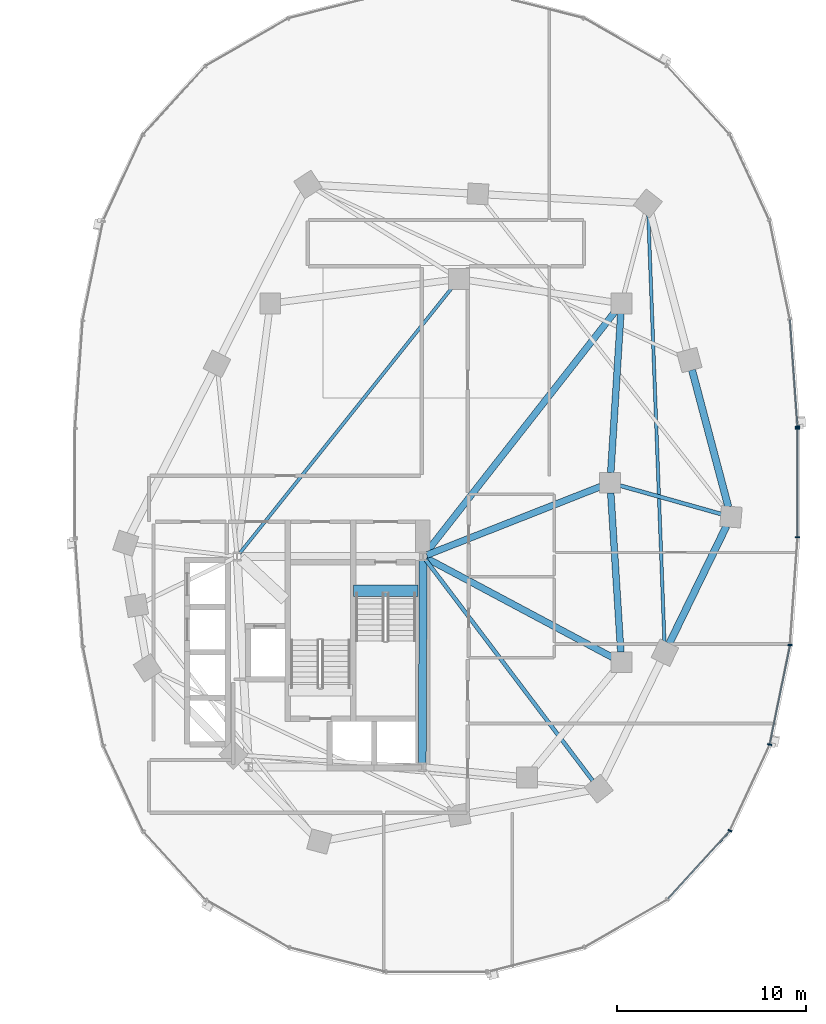
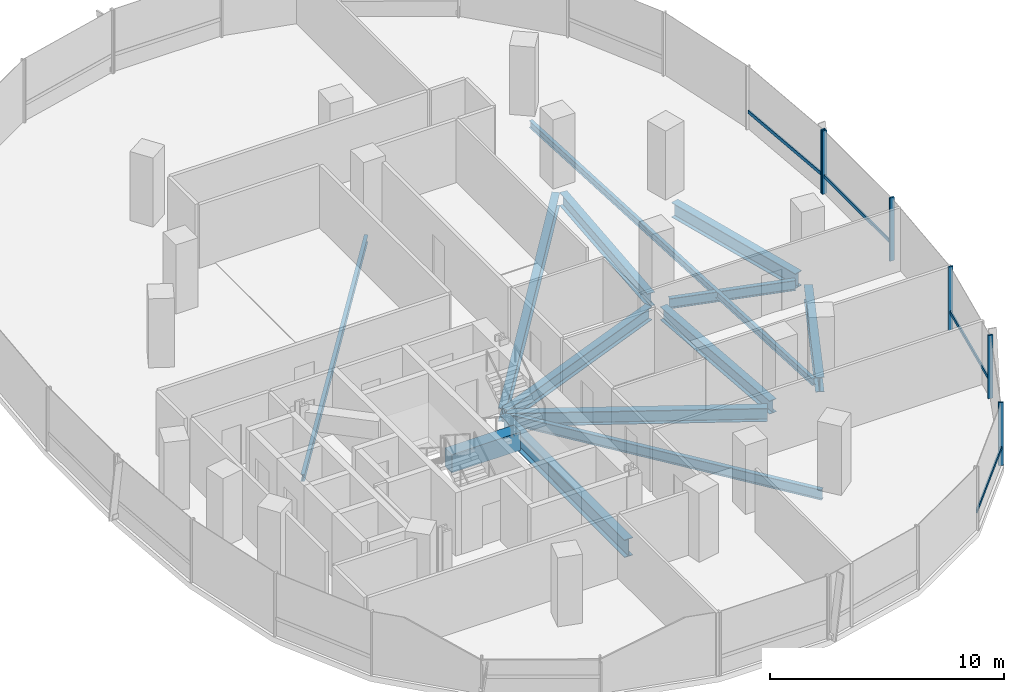
# One storey, part 6 of 21: 13 beams, 10 members, 2 elements without a shape of their own.
"""IFC4 building model written with IfcOpenShell, lengths in metres."""

from ifc_helpers import new_model, si_unit, direction, frame, origin, origin_2d, place, context, subcontext, project, spatial, rectangle, i_section, extrude, material, material_profile, profile_set, type_object, element, aggregate, save


model = new_model("IFC4")

# Units and contexts
model_context = context("Model", 3, precision=1e-05, world=origin(), true_north=direction((0.0, 1.0)))
body_context = subcontext(model_context, "Body", "Model", "MODEL_VIEW")
ifc_project = project(units=[si_unit("LENGTHUNIT", "METRE"), si_unit("AREAUNIT", "SQUARE_METRE"), si_unit("VOLUMEUNIT", "CUBIC_METRE"), si_unit("PLANEANGLEUNIT", "RADIAN"), si_unit("MASSUNIT", "GRAM", prefix="KILO"), si_unit("THERMODYNAMICTEMPERATUREUNIT", "KELVIN"), si_unit("POWERUNIT", "WATT")], contexts=[model_context])

# Site, building, storey
site_placement = place(None, origin())
site = spatial("IfcSite", under=ifc_project, at=site_placement, CompositionType="ELEMENT")
building_placement = place(site_placement, origin())
building = spatial("IfcBuilding", under=site, at=building_placement, Name="Cundina Bronze Exchange", CompositionType="ELEMENT")
storey_placement = place(building_placement, frame((0.0, 0.0, 81.800048828125)))
storey = spatial("IfcBuildingStorey", under=building, at=storey_placement, Name="L20", CompositionType="ELEMENT", Elevation=81.800048828125)

# Beams
ifc_material_1 = material(Name="Concrete C60/75", Category="concrete")
ifc_material_profile_1 = material_profile(ifc_material_1, rectangle(XDim=0.60009765625, YDim=0.949951171875, at=origin_2d()), Name="RC600X950", Category="concrete")
ifc_profile_set_1 = profile_set([ifc_material_profile_1], Name="Concrete C60/75")
beam_type_1 = type_object("IfcBeamType", Name="BM-COUP-RC950", PredefinedType="LINTEL", material=ifc_profile_set_1)
beam_1_placement = place(storey_placement, frame((27.6201171875, -5.719970703125, -0.47509765625), z_axis=(1.0, 0.0, 0.0), x_axis=(0.0, 1.0, 0.0)))
element("IfcBeam", 1, at=beam_1_placement, inside=storey, type_object=beam_type_1, Name="L20 Stair E1 Landing Header Beam", PredefinedType="LINTEL", context=body_context, shape_type="SweptSolid", body=[
    extrude(rectangle(XDim=0.60009765625, YDim=0.949951171875, at=origin_2d()), origin(), (0.0, 0.0, 1.0), 3.39990234375),
])
ifc_material_2 = material(Name="Steel ASTM A992 Grade 50", Category="steel")
ifc_material_profile_2 = material_profile(ifc_material_2, i_section(OverallWidth=0.2099609375, OverallDepth=0.532958984375, WebThickness=0.01025390625, FlangeThickness=0.015625, FilletRadius=0.013916015625, at=origin_2d()), Name="W21X62", Category="steel")
ifc_profile_set_2 = profile_set([ifc_material_profile_2], Name="Steel ASTM A992 Grade 50")
beam_type_2 = type_object("IfcBeamType", Name="BM-FLR-W21B", PredefinedType="BEAM", material=ifc_profile_set_2)
beam_2_placement = place(storey_placement, frame((31.423095703125, -4.062744140625, -0.566650390625), z_axis=(0.603095885041, -0.797668699052, 0.0), x_axis=(0.797668699052, 0.603095885041, 0.0)))
element("IfcBeam", 2, at=beam_2_placement, inside=storey, type_object=beam_type_2, Name="L20 Leg E Chordal Floor Beam 06", PredefinedType="BEAM", context=body_context, shape_type="SweptSolid", body=[
    extrude(i_section(OverallWidth=0.2099609375, OverallDepth=0.532958984375, WebThickness=0.01025390625, FlangeThickness=0.015625, FilletRadius=0.013916015625, at=origin_2d()), origin(), (0.0, 0.0, 1.0), 14.677978515625),
])
beam_3_placement = place(storey_placement, frame((41.718017578125, -0.145751953125, -0.566650390625), z_axis=(0.962654865541, -0.270731619598, 0.0), x_axis=(0.270731619598, 0.962654865541, 0.0)))
element("IfcBeam", 3, at=beam_3_placement, inside=storey, type_object=beam_type_2, Name="L20 Leg E Chordal Floor Beam 08", PredefinedType="BEAM", context=body_context, shape_type="SweptSolid", body=[
    extrude(i_section(OverallWidth=0.2099609375, OverallDepth=0.532958984375, WebThickness=0.01025390625, FlangeThickness=0.015625, FilletRadius=0.013916015625, at=origin_2d()), origin(), (0.0, 0.0, 1.0), 5.572021484375),
])
ifc_material_profile_3 = material_profile(ifc_material_2, i_section(OverallWidth=0.172119140625, OverallDepth=0.35791015625, WebThickness=0.0078125, FlangeThickness=0.01318359375, FilletRadius=0.010009765625, at=origin_2d()), Name="W14X38", Category="steel")
ifc_profile_set_3 = profile_set([ifc_material_profile_3], Name="Steel ASTM A992 Grade 50")
beam_type_3 = type_object("IfcBeamType", Name="BM-JST-W14", PredefinedType="JOIST", material=ifc_profile_set_3)
beam_4_placement = place(storey_placement, frame((21.577392578125, -3.740478515625, -0.47900390625), z_axis=(0.62436887964, 0.781129632095, 0.0), x_axis=(-0.781129632095, 0.62436887964, 0.0)))
element("IfcBeam", 4, at=beam_4_placement, inside=storey, type_object=beam_type_3, Name="L20 E Interior Core-to-Ring Joist 2", PredefinedType="JOIST", context=body_context, shape_type="SweptSolid", body=[
    extrude(i_section(OverallWidth=0.172119140625, OverallDepth=0.35791015625, WebThickness=0.0078125, FlangeThickness=0.01318359375, FilletRadius=0.010009765625, at=origin_2d()), origin(), (0.0, 0.0, 1.0), 18.076904296875),
])
beam_5_placement = place(storey_placement, frame((44.07958984375, -8.46240234375, -0.47900390625), z_axis=(-0.03778951385, 0.999285721224, 0.0), x_axis=(-0.999285721224, -0.03778951385, 0.0)))
element("IfcBeam", 5, at=beam_5_placement, inside=storey, type_object=beam_type_3, Name="L20 Leg E Lobe Floor Joist 07-10", PredefinedType="JOIST", context=body_context, shape_type="SweptSolid", body=[
    extrude(i_section(OverallWidth=0.172119140625, OverallDepth=0.35791015625, WebThickness=0.0078125, FlangeThickness=0.01318359375, FilletRadius=0.010009765625, at=origin_2d()), origin(), (0.0, 0.0, 1.0), 22.7412109375),
])
ifc_material_profile_4 = material_profile(ifc_material_2, i_section(OverallWidth=0.35498046875, OverallDepth=0.695068359375, WebThickness=0.015380859375, FlangeThickness=0.02490234375, FilletRadius=0.01806640625, at=origin_2d()), Name="W27X146", Category="steel")
ifc_profile_set_4 = profile_set([ifc_material_profile_4], Name="Steel ASTM A992 Grade 50")
beam_type_4 = type_object("IfcBeamType", Name="BM-RING-W27", PredefinedType="USERDEFINED", material=ifc_profile_set_4)
for number, where, z_axis, x_axis, name in (
    (6, (41.76611328125, -8.963134765625, -0.6474609375), (-0.06303715519, 0.998011180832, 0.0), (-0.998011180832, -0.06303715519, 0.0), "L20 E Inner Structural Ring Girder 03"),
    (7, (41.23388671875, 0.536865234375, -0.6474609375), (0.06303715519, 0.998011180832, 0.0), (-0.998011180832, 0.06303715519, 0.0), "L20 E Inner Structural Ring Girder 04"),
):
    element("IfcBeam", number, at=place(storey_placement, frame(where, z_axis=z_axis, x_axis=x_axis)), inside=storey, type_object=beam_type_4, Name=name, ObjectType="GIRDER", PredefinedType="USERDEFINED", context=body_context, shape_type="SweptSolid", body=[
        extrude(i_section(OverallWidth=0.35498046875, OverallDepth=0.695068359375, WebThickness=0.015380859375, FlangeThickness=0.02490234375, FilletRadius=0.01806640625, at=origin_2d()), origin(), (0.0, 0.0, 1.0), 8.443115234375),
    ])
beam_6_placement = place(storey_placement, frame((31.48974609375, -3.8251953125, -0.6474609375), z_axis=(0.930413235418, 0.366512225388, 0.0), x_axis=(-0.366512225388, 0.930413235418, 0.0)))
element("IfcBeam", 8, at=beam_6_placement, inside=storey, type_object=beam_type_4, Name="L20 E Core-to-Waist Tie Beam 1", ObjectType="GIRDER", PredefinedType="USERDEFINED", context=body_context, shape_type="SweptSolid", body=[
    extrude(i_section(OverallWidth=0.35498046875, OverallDepth=0.695068359375, WebThickness=0.015380859375, FlangeThickness=0.02490234375, FilletRadius=0.01806640625, at=origin_2d()), origin(), (0.0, 0.0, 1.0), 9.8984375),
])
beam_7_placement = place(storey_placement, frame((31.47998046875, -3.99609375, -0.6474609375), z_axis=(0.882354758239, -0.470584828286, 0.0), x_axis=(0.470584828286, 0.882354758239, 0.0)))
element("IfcBeam", 9, at=beam_7_placement, inside=storey, type_object=beam_type_4, Name="L20 E Core-to-Waist Tie Beam 2", ObjectType="GIRDER", PredefinedType="USERDEFINED", context=body_context, shape_type="SweptSolid", body=[
    extrude(i_section(OverallWidth=0.35498046875, OverallDepth=0.695068359375, WebThickness=0.015380859375, FlangeThickness=0.02490234375, FilletRadius=0.01806640625, at=origin_2d()), origin(), (0.0, 0.0, 1.0), 11.157958984375),
])
beam_8_placement = place(storey_placement, frame((31.42578125, -3.739501953125, -0.6474609375), z_axis=(0.616789275748, 0.787128318206, 0.0), x_axis=(-0.787128318206, 0.616789275748, 0.0)))
element("IfcBeam", 10, at=beam_8_placement, inside=storey, type_object=beam_type_4, Name="L20 E Core-to-Waist Tie Beam 3", ObjectType="GIRDER", PredefinedType="USERDEFINED", context=body_context, shape_type="SweptSolid", body=[
    extrude(i_section(OverallWidth=0.35498046875, OverallDepth=0.695068359375, WebThickness=0.015380859375, FlangeThickness=0.02490234375, FilletRadius=0.01806640625, at=origin_2d()), origin(), (0.0, 0.0, 1.0), 16.281982421875),
])
ifc_material_profile_5 = material_profile(ifc_material_2, i_section(OverallWidth=0.381103515625, OverallDepth=0.77294921875, WebThickness=0.0166015625, FlangeThickness=0.027099609375, FilletRadius=0.01904296875, at=origin_2d()), Name="W30X173", Category="steel")
ifc_profile_set_5 = profile_set([ifc_material_profile_5], Name="Steel ASTM A992 Grade 50")
beam_type_5 = type_object("IfcBeamType", Name="BM-RING-W30", PredefinedType="USERDEFINED", material=ifc_profile_set_5)
beam_9_placement = place(storey_placement, frame((44.335205078125, -8.51611328125, -0.6865234375), z_axis=(0.437193894283, 0.899367276924, 0.0), x_axis=(-0.899367276924, 0.437193894283, 0.0)))
element("IfcBeam", 11, at=beam_9_placement, inside=storey, type_object=beam_type_5, Name="L20 E Perimeter Ring Girder 07", ObjectType="GIRDER", PredefinedType="USERDEFINED", context=body_context, shape_type="SweptSolid", body=[
    extrude(i_section(OverallWidth=0.381103515625, OverallDepth=0.77294921875, WebThickness=0.0166015625, FlangeThickness=0.027099609375, FilletRadius=0.01904296875, at=origin_2d()), origin(), (0.0, 0.0, 1.0), 6.929443359375),
])
beam_10_placement = place(storey_placement, frame((47.462158203125, -1.280029296875, -0.6865234375), z_axis=(-0.256209719931, 0.966621218168, 0.0), x_axis=(-0.966621218168, -0.256209719931, 0.0)))
element("IfcBeam", 12, at=beam_10_placement, inside=storey, type_object=beam_type_5, Name="L20 E Perimeter Ring Girder 08", ObjectType="GIRDER", PredefinedType="USERDEFINED", context=body_context, shape_type="SweptSolid", body=[
    extrude(i_section(OverallWidth=0.381103515625, OverallDepth=0.77294921875, WebThickness=0.0166015625, FlangeThickness=0.027099609375, FilletRadius=0.01904296875, at=origin_2d()), origin(), (0.0, 0.0, 1.0), 7.5107421875),
])
ifc_material_profile_6 = material_profile(ifc_material_2, i_section(OverallWidth=0.41796875, OverallDepth=0.927001953125, WebThickness=0.019287109375, FlangeThickness=0.031982421875, FilletRadius=0.02392578125, at=origin_2d()), Name="W36X231", Category="steel")
ifc_profile_set_6 = profile_set([ifc_material_profile_6], Name="Steel ASTM A992 Grade 50")
beam_type_6 = type_object("IfcBeamType", Name="BM-WRN-W36B", PredefinedType="USERDEFINED", material=ifc_profile_set_6)
beam_11_placement = place(storey_placement, frame((31.2509765625, -14.845947265625, -0.763427734375), z_axis=(0.004477329608, 0.99998997671, 0.0), x_axis=(-0.99998997671, 0.004477329608, 0.0)))
element("IfcBeam", 13, at=beam_11_placement, inside=storey, type_object=beam_type_6, Name="L20 E Core Perimeter Tie Girder 4", ObjectType="GIRDER", PredefinedType="USERDEFINED", context=body_context, shape_type="SweptSolid", body=[
    extrude(i_section(OverallWidth=0.41796875, OverallDepth=0.927001953125, WebThickness=0.019287109375, FlangeThickness=0.031982421875, FilletRadius=0.02392578125, at=origin_2d()), origin(), (0.0, 0.0, 1.0), 10.741943359375),
])

# Curtain wall, member
ifc_material_3 = material(Name="Anodised Bronze Aluminium 6063-T6", Category="aluminium")
curtain_wall_type = type_object("IfcCurtainWallType", Name="CWS-TRD-MID", PredefinedType="NOTDEFINED", material=ifc_material_3)
curtain_wall_1_placement = place(storey_placement, origin())
curtain_wall_1 = element("IfcCurtainWall", 14, at=curtain_wall_1_placement, inside=storey, type_object=curtain_wall_type, Name="L20 CW-03 Curtain Wall Run CWR-L20-E1", PredefinedType="NOTDEFINED")
ifc_material_profile_7 = material_profile(ifc_material_3, rectangle(XDim=0.074951171875, YDim=0.219970703125, at=origin_2d()), Name="AL75X220", Category="aluminium")
ifc_profile_set_7 = profile_set([ifc_material_profile_7], Name="Anodised Bronze Aluminium 6063-T6")
member_type_1 = type_object("IfcMemberType", Name="CWM-MUL-220", PredefinedType="MULLION", material=ifc_profile_set_7)
member_1_placement = place(storey_placement, frame((51.12451171875, 2.976318359375, 0.0), z_axis=(0.0, 0.0, 1.0), x_axis=(-0.070278787473, 0.997527389113, 0.0)))
member_1 = element("IfcMember", 15, at=member_1_placement, type_object=member_type_1, Name="CW-03 Mullion 1", PredefinedType="MULLION", context=body_context, shape_type="SweptSolid", body=[
    extrude(rectangle(XDim=0.074951171875, YDim=0.219970703125, at=origin_2d()), origin(), (0.0, 0.0, 1.0), 3.300048828125),
])

# Curtain wall, members
curtain_wall_2_placement = place(storey_placement, origin())
curtain_wall_2 = element("IfcCurtainWall", 16, at=curtain_wall_2_placement, inside=storey, type_object=curtain_wall_type, Name="L20 CW-03 Curtain Wall Run CWR-L20-E4", PredefinedType="NOTDEFINED")
member_2_placement = place(storey_placement, frame((47.544189453125, -18.423583984375, 0.0), z_axis=(0.0, 0.0, 1.0), x_axis=(0.42087749791, 0.907117485088, 0.0)))
member_2 = element("IfcMember", 17, at=member_2_placement, type_object=member_type_1, Name="CW-03 Mullion 4", PredefinedType="MULLION", context=body_context, shape_type="SweptSolid", body=[
    extrude(rectangle(XDim=0.074951171875, YDim=0.219970703125, at=origin_2d()), origin(), (0.0, 0.0, 1.0), 3.300048828125),
])
member_3_placement = place(storey_placement, frame((49.651123046875, -13.861328125, 0.0), z_axis=(0.0, 0.0, 1.0), x_axis=(0.201419845156, 0.979505000486, 0.0)))
member_3 = element("IfcMember", 18, at=member_3_placement, type_object=member_type_1, Name="CW-03 Mullion 5", PredefinedType="MULLION", context=body_context, shape_type="SweptSolid", body=[
    extrude(rectangle(XDim=0.074951171875, YDim=0.219970703125, at=origin_2d()), origin(), (0.0, 0.0, 1.0), 3.300048828125),
])
member_4_placement = place(storey_placement, frame((50.72900390625, -8.591552734375, 0.0), z_axis=(0.0, 0.0, 1.0), x_axis=(0.070278787473, 0.997527389113, 0.0)))
member_4 = element("IfcMember", 19, at=member_4_placement, type_object=member_type_1, Name="CW-03 Mullion 6", PredefinedType="MULLION", context=body_context, shape_type="SweptSolid", body=[
    extrude(rectangle(XDim=0.074951171875, YDim=0.219970703125, at=origin_2d()), origin(), (0.0, 0.0, 1.0), 3.300048828125),
])
member_5_placement = place(storey_placement, frame((51.1279296875, -2.880615234375, 0.0), z_axis=(0.0, 0.0, 1.0), x_axis=(0.0, 1.0, 0.0)))
member_5 = element("IfcMember", 20, at=member_5_placement, type_object=member_type_1, Name="CW-03 Mullion 7", PredefinedType="MULLION", context=body_context, shape_type="SweptSolid", body=[
    extrude(rectangle(XDim=0.074951171875, YDim=0.219970703125, at=origin_2d()), origin(), (0.0, 0.0, 1.0), 3.300048828125),
])
member_6_placement = place(storey_placement, frame((51.1279296875, 2.880615234375, 0.0), z_axis=(0.0, 0.0, 1.0), x_axis=(0.0, 1.0, 0.0)))
member_6 = element("IfcMember", 21, at=member_6_placement, type_object=member_type_1, Name="CW-03 End Mullion", PredefinedType="MULLION", context=body_context, shape_type="SweptSolid", body=[
    extrude(rectangle(XDim=0.074951171875, YDim=0.219970703125, at=origin_2d()), origin(), (0.0, 0.0, 1.0), 3.300048828125),
])

# Member
ifc_material_profile_8 = material_profile(ifc_material_3, rectangle(XDim=0.070068359375, YDim=0.179931640625, at=origin_2d()), Name="AL70X180", Category="aluminium")
ifc_profile_set_8 = profile_set([ifc_material_profile_8], Name="Anodised Bronze Aluminium 6063-T6")
member_type_2 = type_object("IfcMemberType", Name="CWM-TRN-180", PredefinedType="USERDEFINED", material=ifc_profile_set_8)
member_7_placement = place(storey_placement, frame((51.12158203125, 3.017333984375, 0.919921875), z_axis=(-0.070260714471, 0.997528662246, 0.0), x_axis=(-0.997528662246, -0.070260714471, 0.0)))
member_7 = element("IfcMember", 22, at=member_7_placement, type_object=member_type_2, Name="CW-03 Spandrel Transom 1", ObjectType="TRANSOM", PredefinedType="USERDEFINED", context=body_context, shape_type="SweptSolid", body=[
    extrude(rectangle(XDim=0.070068359375, YDim=0.179931640625, at=origin_2d()), origin(), (0.0, 0.0, 1.0), 5.629150390625),
])

aggregate(curtain_wall_1, [member_1, member_7])

member_8_placement = place(storey_placement, frame((44.26708984375, -22.027099609375, 0.919921875), z_axis=(0.674302794847, 0.738454968743, 0.0), x_axis=(-0.738454968743, 0.674302794847, 0.0)))
member_8 = element("IfcMember", 23, at=member_8_placement, type_object=member_type_2, Name="CW-03 Spandrel Transom 3", ObjectType="TRANSOM", PredefinedType="USERDEFINED", context=body_context, shape_type="SweptSolid", body=[
    extrude(rectangle(XDim=0.070068359375, YDim=0.179931640625, at=origin_2d()), origin(), (0.0, 0.0, 1.0), 4.848388671875),
])

member_9_placement = place(storey_placement, frame((49.659423828125, -13.821044921875, 0.919921875), z_axis=(0.201427712708, 0.979503382615, 0.0), x_axis=(-0.979503382615, 0.201427712708, 0.0)))
member_9 = element("IfcMember", 24, at=member_9_placement, type_object=member_type_2, Name="CW-03 Spandrel Transom 5", ObjectType="TRANSOM", PredefinedType="USERDEFINED", context=body_context, shape_type="SweptSolid", body=[
    extrude(rectangle(XDim=0.070068359375, YDim=0.179931640625, at=origin_2d()), origin(), (0.0, 0.0, 1.0), 5.291748046875),
])

member_10_placement = place(storey_placement, frame((51.1279296875, -2.839111328125, 0.919921875), z_axis=(0.0, 1.0, 0.0), x_axis=(-1.0, 0.0, 0.0)))
member_10 = element("IfcMember", 25, at=member_10_placement, type_object=member_type_2, Name="CW-03 Spandrel Transom 7", ObjectType="TRANSOM", PredefinedType="USERDEFINED", context=body_context, shape_type="SweptSolid", body=[
    extrude(rectangle(XDim=0.070068359375, YDim=0.179931640625, at=origin_2d()), origin(), (0.0, 0.0, 1.0), 5.67822265625),
])

aggregate(curtain_wall_2, [member_8, member_2, member_3, member_9, member_4, member_5, member_6, member_10])

save(model, "model.ifc")
